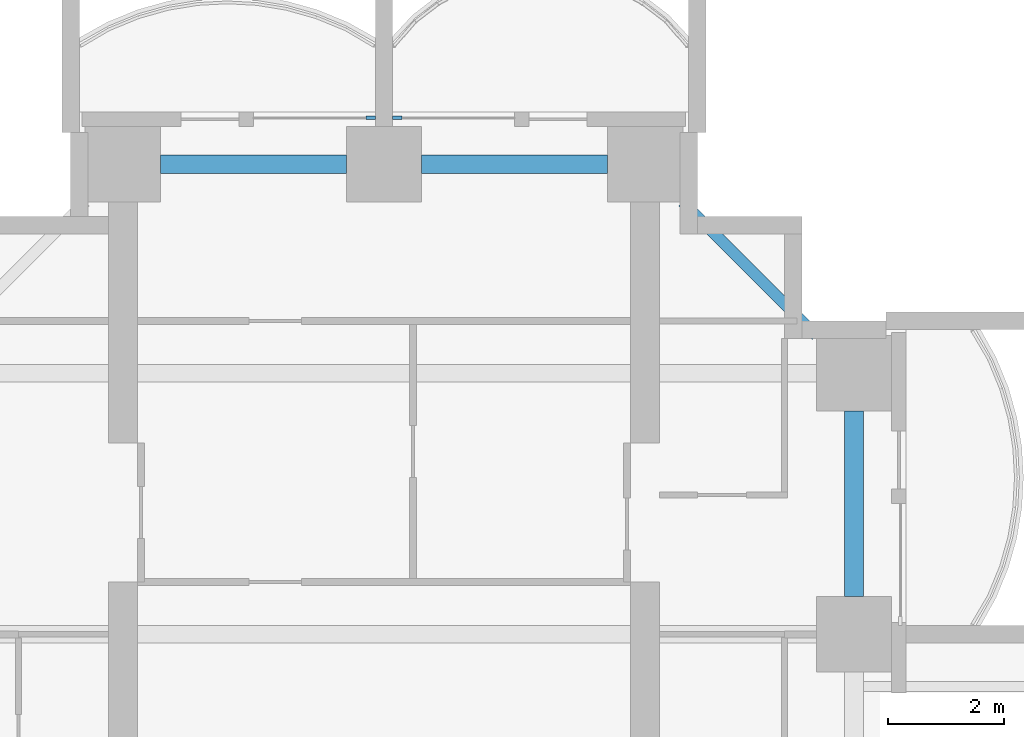
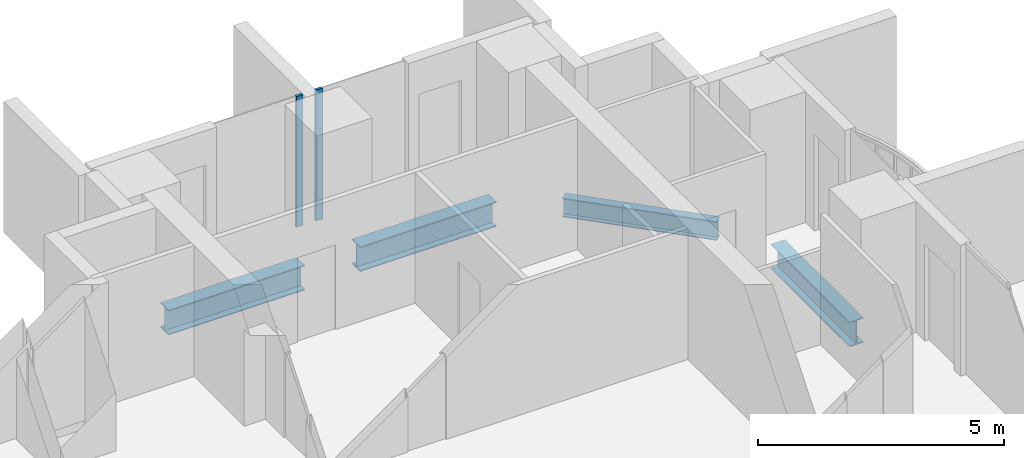
# One storey, part 7 of 21: 4 beams, 2 members, 2 elements without a shape of their own.
"""IFC4 building model written with IfcOpenShell, lengths in metres."""

from ifc_helpers import new_model, si_unit, direction, frame, origin, origin_2d, place, context, subcontext, project, spatial, rectangle, i_section, extrude, material, material_profile, profile_set, type_object, element, aggregate, save


model = new_model("IFC4")

# Units and contexts
model_context = context("Model", 3, precision=1e-05, world=origin(), true_north=direction((0.0, 1.0)))
body_context = subcontext(model_context, "Body", "Model", "MODEL_VIEW")
ifc_project = project(units=[si_unit("LENGTHUNIT", "METRE"), si_unit("AREAUNIT", "SQUARE_METRE"), si_unit("VOLUMEUNIT", "CUBIC_METRE"), si_unit("PLANEANGLEUNIT", "RADIAN"), si_unit("MASSUNIT", "GRAM", prefix="KILO")], contexts=[model_context])

# Site, building, storey
site_placement = place(None, origin())
site = spatial("IfcSite", under=ifc_project, at=site_placement, CompositionType="ELEMENT")
building_placement = place(site_placement, origin())
building = spatial("IfcBuilding", under=site, at=building_placement, Name="Perihelion Cross Residences", CompositionType="ELEMENT")
storey_placement = place(building_placement, frame((0.0, 0.0, 64.5)))
storey = spatial("IfcBuildingStorey", under=building, at=storey_placement, Name="L13", CompositionType="ELEMENT", Elevation=64.5)

# Curtain wall, member
ifc_material_1 = material(Name="Bronze anodised aluminium, tinted glazing", Category="aluminium")
curtain_wall_type = type_object("IfcCurtainWallType", Name="CW1", PredefinedType="NOTDEFINED", material=ifc_material_1)
curtain_wall_1_placement = place(storey_placement, origin())
curtain_wall_1 = element("IfcCurtainWall", 1, at=curtain_wall_1_placement, inside=storey, type_object=curtain_wall_type, Name="Curtain wall CW1 L13 north tip north bay 1", PredefinedType="NOTDEFINED")
ifc_material_2 = material(Name="Bronze anodised aluminium", Category="aluminium")
ifc_material_profile_1 = material_profile(ifc_material_2, rectangle(XDim=0.06005859375, YDim=0.159912109375, at=origin_2d()), Name="CW1 mullion")
ifc_profile_set_1 = profile_set([ifc_material_profile_1], Name="Bronze anodised aluminium")
member_type = type_object("IfcMemberType", Name="CW1 mullion", PredefinedType="MULLION", material=ifc_profile_set_1)
member_1_placement = place(storey_placement, frame((0.22998046875, 26.89990234375, 0.0), z_axis=(0.0, 0.0, 1.0), x_axis=(0.0, -1.0, 0.0)))
member_1 = element("IfcMember", 2, at=member_1_placement, type_object=member_type, Name="CW1 mullion 2", PredefinedType="MULLION", context=body_context, shape_type="SweptSolid", body=[
    extrude(rectangle(XDim=0.06005859375, YDim=0.159912109375, at=origin_2d()), origin(), (0.0, 0.0, 1.0), 3.25),
])
aggregate(curtain_wall_1, [member_1])

curtain_wall_2_placement = place(storey_placement, origin())
curtain_wall_2 = element("IfcCurtainWall", 3, at=curtain_wall_2_placement, inside=storey, type_object=curtain_wall_type, Name="Curtain wall CW1 L13 north tip north bay 2", PredefinedType="NOTDEFINED")
member_2_placement = place(storey_placement, frame((-0.22998046875, 26.89990234375, 0.0), z_axis=(0.0, 0.0, 1.0), x_axis=(0.0, -1.0, 0.0)))
member_2 = element("IfcMember", 4, at=member_2_placement, type_object=member_type, Name="CW1 mullion 1", PredefinedType="MULLION", context=body_context, shape_type="SweptSolid", body=[
    extrude(rectangle(XDim=0.06005859375, YDim=0.159912109375, at=origin_2d()), origin(), (0.0, 0.0, 1.0), 3.25),
])
aggregate(curtain_wall_2, [member_2])

# Beams
ifc_material_3 = material(Name="Steel S355", Category="steel")
ifc_material_profile_2 = material_profile(ifc_material_3, i_section(OverallWidth=0.324951171875, OverallDepth=0.616943359375, WebThickness=0.013916015625, FlangeThickness=0.021484375, at=origin_2d()), Name="W610x174")
ifc_profile_set_2 = profile_set([ifc_material_profile_2], Name="Steel S355")
beam_type_1 = type_object("IfcBeamType", Name="Edge beam W610x174", PredefinedType="SPANDREL", material=ifc_profile_set_2)
for number, where, z_axis, x_axis, name in (
    (5, (8.10009765625, 18.64990234375, -0.55859375), (0.0, 1.0, 0.0), (-1.0, 0.0, 0.0), "Edge beam SB2 L13 no. 19"),
    (6, (3.85009765625, 26.10009765625, -0.55859375), (-1.0, 0.0, 0.0), (0.0, -1.0, 0.0), "Edge beam SB2 L13 no. 15"),
    (7, (-0.64990234375, 26.10009765625, -0.55859375), (-1.0, 0.0, 0.0), (0.0, -1.0, 0.0), "Edge beam SB2 L13 no. 11"),
):
    element("IfcBeam", number, at=place(storey_placement, frame(where, z_axis=z_axis, x_axis=x_axis)), inside=storey, type_object=beam_type_1, Name=name, PredefinedType="SPANDREL", context=body_context, shape_type="SweptSolid", body=[
        extrude(i_section(OverallWidth=0.324951171875, OverallDepth=0.616943359375, WebThickness=0.013916015625, FlangeThickness=0.021484375, at=origin_2d()), origin(), (0.0, 0.0, 1.0), 3.2001953125),
    ])
ifc_material_4 = material(Name="Steel S355", Category="steel")
ifc_material_profile_3 = material_profile(ifc_material_4, i_section(OverallWidth=0.194091796875, OverallDepth=0.469970703125, WebThickness=0.0126953125, FlangeThickness=0.0205078125, at=origin_2d()), Name="W460x106")
ifc_profile_set_3 = profile_set([ifc_material_profile_3], Name="Steel S355")
beam_type_2 = type_object("IfcBeamType", Name="Serration edge beam W460x106", PredefinedType="BEAM", material=ifc_profile_set_3)
beam_placement = place(storey_placement, frame((7.449951171875, 23.14990234375, -0.485107421875), z_axis=(-0.707106781187, 0.707106781187, 0.0), x_axis=(-0.707106781187, -0.707106781187, 0.0)))
element("IfcBeam", 8, at=beam_placement, inside=storey, type_object=beam_type_2, Name="Serration edge beam EB2 L13 no. 4", PredefinedType="BEAM", context=body_context, shape_type="SweptSolid", body=[
    extrude(i_section(OverallWidth=0.194091796875, OverallDepth=0.469970703125, WebThickness=0.0126953125, FlangeThickness=0.0205078125, at=origin_2d()), origin(), (0.0, 0.0, 1.0), 3.252685546875),
])

save(model, "model.ifc")
